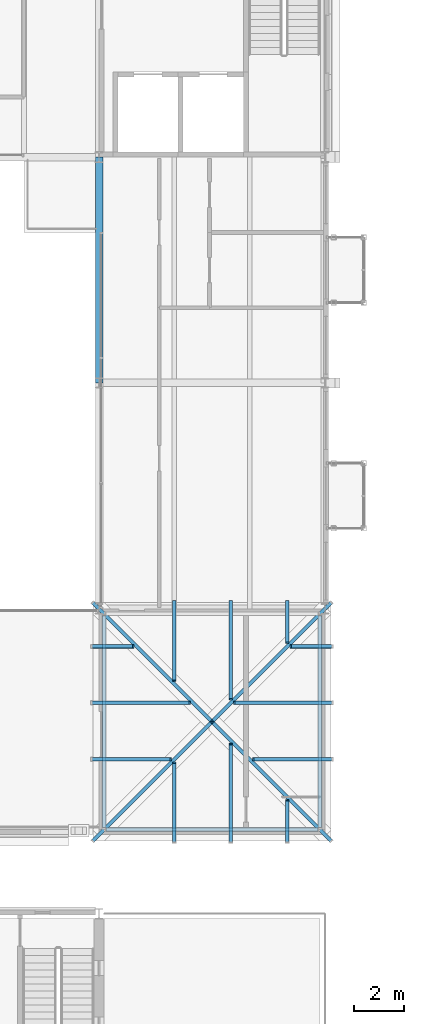
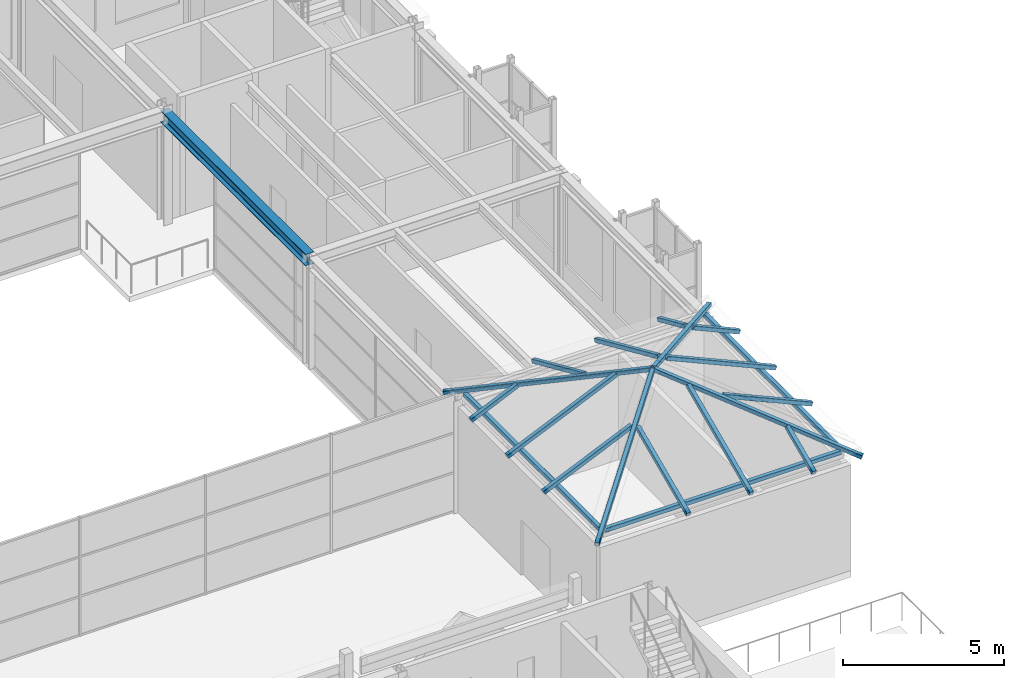
# One storey, part 24 of 149: 19 members, 1 beam.
"""IFC4 building model written with IfcOpenShell, lengths in metres."""

import ifcopenshell
import ifcopenshell.guid

model = None  # the IFC model being written
_history = None  # IfcOwnerHistory: only IFC2X3 demands one
_inside = {}  # id of a spatial element -> (the spatial element, [elements in it])
_under = {}  # id of a project, library or spatial element -> (it, [spatial elements below it])
_declared = {}  # id of a project -> (the project, [libraries it declares])
_typed = {}  # id of a type object -> (the type object, [elements of that type])
_made_of = {}  # id of a material, layer set ... -> (it, [elements and type objects made of it])


def new_model(schema):
    """Start an empty IFC model of exactly this schema.

    Asked for "IFC4X3", IfcOpenShell would pick the latest addendum, in which some entities
    have other attributes; the version numbers below select the first issue.
    IFC2X3 requires an IfcOwnerHistory on every rooted entity: one is made here for all.
    """
    global model, _history
    if schema == "IFC4X3":
        model = ifcopenshell.file(schema_version=(4, 3, 0, 0))
    else:
        model = ifcopenshell.file(schema=schema)
    _inside.clear()
    _under.clear()
    _declared.clear()
    _typed.clear()
    _made_of.clear()
    _history = None
    if model.schema == "IFC2X3":
        org = make("IfcOrganization", Name="unknown")
        user = make(
            "IfcPersonAndOrganization",
            ThePerson=make("IfcPerson", FamilyName="unknown"),
            TheOrganization=org,
        )
        app = make(
            "IfcApplication",
            ApplicationDeveloper=org,
            Version="unknown",
            ApplicationFullName="unknown",
            ApplicationIdentifier="unknown",
        )
        _history = make(
            "IfcOwnerHistory",
            OwningUser=user,
            OwningApplication=app,
            ChangeAction="ADDED",
            CreationDate=0,
        )
    return model


def make(cls, **values):
    """One entity of the class cls with the attributes given. An attribute that is None is left unset."""
    return model.create_entity(
        cls, **{name: value for name, value in values.items() if value is not None}
    )


def rooted(cls, **values):
    """An entity with a GlobalId (a new one), such as an element, a storey or a relation."""
    return make(cls, GlobalId=ifcopenshell.guid.new(), OwnerHistory=_history, **values)


def si_unit(unit_type, name, prefix=None):
    """IfcSIUnit, for example si_unit("LENGTHUNIT", "METRE", prefix="MILLI")."""
    return make("IfcSIUnit", UnitType=unit_type, Prefix=prefix, Name=name)


def assignment(units):
    """IfcUnitAssignment: the units of a project."""
    return None if units is None else make("IfcUnitAssignment", Units=units)


def point(xyz):
    """IfcCartesianPoint."""
    return None if xyz is None else make("IfcCartesianPoint", Coordinates=xyz)


def direction(xyz):
    """IfcDirection."""
    return None if xyz is None else make("IfcDirection", DirectionRatios=xyz)


def frame(location, z_axis=None, x_axis=None):
    """IfcAxis2Placement3D, a coordinate frame: its origin and axes. An axis left out is left unset."""
    return make(
        "IfcAxis2Placement3D",
        Location=point(location),
        Axis=direction(z_axis),
        RefDirection=direction(x_axis),
    )


def frame_2d(location, x_axis=None):
    """IfcAxis2Placement2D, a coordinate frame in the plane: its origin and x axis."""
    return make(
        "IfcAxis2Placement2D", Location=point(location), RefDirection=direction(x_axis)
    )


def origin():
    """The frame at (0, 0, 0) with its axes left unset."""
    return frame((0.0, 0.0, 0.0))


def origin_2d():
    """The frame at (0, 0) in the plane with its x axis left unset."""
    return frame_2d((0.0, 0.0))


def place(relative_to, where):
    """IfcLocalPlacement: puts the frame where relative to a parent placement (None: the world)."""
    return make(
        "IfcLocalPlacement", PlacementRelTo=relative_to, RelativePlacement=where
    )


def context(
    kind, dimensions, precision=None, world=None, true_north=None, identifier=None
):
    """IfcGeometricRepresentationContext, for example the 3D "Model" context."""
    return make(
        "IfcGeometricRepresentationContext",
        ContextIdentifier=identifier,
        ContextType=kind,
        CoordinateSpaceDimension=dimensions,
        Precision=precision,
        WorldCoordinateSystem=world,
        TrueNorth=true_north,
    )


def subcontext(parent, identifier, kind, view, scale=None):
    """IfcGeometricRepresentationSubContext, for example "Body" below "Model"."""
    return make(
        "IfcGeometricRepresentationSubContext",
        ContextIdentifier=identifier,
        ContextType=kind,
        ParentContext=parent,
        TargetScale=scale,
        TargetView=view,
    )


def project(units=None, contexts=None):
    """IfcProject with its units and contexts."""
    return rooted(
        "IfcProject",
        Name="project",
        RepresentationContexts=contexts,
        UnitsInContext=assignment(units),
    )


def spatial(cls, under=None, at=None, **own):
    """A site, building, storey or space (cls), placed at a placement, below another one or the project."""
    s = rooted(cls, ObjectPlacement=at, **own)
    if under is not None:
        _under.setdefault(under.id(), (under, []))[1].append(s)
    return s


def profile(cls, at=None, kind="AREA", **sizes):
    """A parametric profile (cls). Its sizes go by their IFC names, for example OverallWidth=200.0."""
    return make(cls, ProfileType=kind, Position=at, **sizes)


def hollow_rectangle(**sizes):
    """IfcRectangleHollowProfileDef."""
    return profile("IfcRectangleHollowProfileDef", **sizes)


def i_section(**sizes):
    """IfcIShapeProfileDef."""
    return profile("IfcIShapeProfileDef", **sizes)


def extrude(swept, where, along, depth):
    """IfcExtrudedAreaSolid: the profile swept, set in the frame where, extruded along a direction by depth."""
    return make(
        "IfcExtrudedAreaSolid",
        SweptArea=swept,
        Position=where,
        ExtrudedDirection=direction(along),
        Depth=depth,
    )


def shape(context_of_items, identifier, shape_type, items):
    """IfcShapeRepresentation: the items that make up one representation, for example the "Body"."""
    return make(
        "IfcShapeRepresentation",
        ContextOfItems=context_of_items,
        RepresentationIdentifier=identifier,
        RepresentationType=shape_type,
        Items=items,
    )


def material(Name=None, Category=None):
    """IfcMaterial."""
    return make("IfcMaterial", Name=Name, Category=Category)


def material_profile(
    of_material, cross_section, Name=None, Category=None, Priority=None
):
    """IfcMaterialProfile: a cross section and its material."""
    return make(
        "IfcMaterialProfile",
        Name=Name,
        Material=of_material,
        Profile=cross_section,
        Priority=Priority,
        Category=Category,
    )


def profile_set(profiles, Name=None, composite=None):
    """IfcMaterialProfileSet."""
    return make(
        "IfcMaterialProfileSet",
        Name=Name,
        MaterialProfiles=profiles,
        CompositeProfile=composite,
    )


def made_of(thing, what):
    """Note that an element or type object is made of a material, layer set ...; save() writes the relation."""
    if what is not None:
        _made_of.setdefault(what.id(), (what, []))[1].append(thing)
    return thing


def type_object(cls, material=None, **own):
    """A type object (cls), such as IfcWallType, which elements share."""
    return made_of(rooted(cls, **own), material)


def element(
    cls,
    number,
    at=None,
    inside=None,
    cuts=None,
    type_object=None,
    material=None,
    context=None,
    identifier="Body",
    shape_type=None,
    held_by="IfcProductDefinitionShape",
    body=None,
    shapes=None,
    **own,
):
    """One element of the class cls, such as IfcWall. Its Tag is "e" and its number.

    at: its placement. inside: the storey or other place that contains it. cuts: it is an
    opening in that element (IfcRelVoidsElement). A single representation is given by context,
    identifier, shape_type and body (its items); several are given by shapes. held_by: the class
    of the entity that holds the representations. save() writes the other relations.
    """
    e = rooted(cls, Tag="e%d" % number, ObjectPlacement=at, **own)
    if body is not None:
        shapes = [shape(context, identifier, shape_type, body)]
    if shapes is not None:
        e.Representation = make(held_by, Representations=shapes)
    if inside is not None:
        _inside.setdefault(inside.id(), (inside, []))[1].append(e)
    if cuts is not None:
        rooted(
            "IfcRelVoidsElement", RelatingBuildingElement=cuts, RelatedOpeningElement=e
        )
    if type_object is not None:
        _typed.setdefault(type_object.id(), (type_object, []))[1].append(e)
    return made_of(e, material)


def aggregate(whole, parts):
    """IfcRelAggregates: a whole, such as a stair, and the parts it consists of."""
    return rooted("IfcRelAggregates", RelatingObject=whole, RelatedObjects=parts)


def save(model, path):
    """Write the relations noted so far, then the file.

    IfcRelAggregates (storeys below a building ...), IfcRelContainedInSpatialStructure (elements
    in a storey), IfcRelDefinesByType, IfcRelAssociatesMaterial and IfcRelDeclares: one each for
    every whole, place, type object, material and project.
    """
    for whole, parts in _under.values():
        aggregate(whole, parts)
    for where, things in _inside.values():
        rooted(
            "IfcRelContainedInSpatialStructure",
            RelatedElements=things,
            RelatingStructure=where,
        )
    for kind, things in _typed.values():
        rooted("IfcRelDefinesByType", RelatedObjects=things, RelatingType=kind)
    for what, things in _made_of.values():
        rooted("IfcRelAssociatesMaterial", RelatedObjects=things, RelatingMaterial=what)
    for by, libraries in _declared.values():
        rooted("IfcRelDeclares", RelatingContext=by, RelatedDefinitions=libraries)
    model.write(path)


model = new_model("IFC4")

# Units and contexts
model_context = context("Model", 3, precision=1e-05, world=origin(), true_north=direction((0.0, 1.0)))
body_context = subcontext(model_context, "Body", "Model", "MODEL_VIEW")
ifc_project = project(units=[si_unit("LENGTHUNIT", "METRE"), si_unit("AREAUNIT", "SQUARE_METRE"), si_unit("VOLUMEUNIT", "CUBIC_METRE"), si_unit("PLANEANGLEUNIT", "RADIAN"), si_unit("MASSUNIT", "GRAM", prefix="KILO")], contexts=[model_context])

# Site, building, storey
site_placement = place(None, origin())
site = spatial("IfcSite", under=ifc_project, at=site_placement, CompositionType="ELEMENT")
building_placement = place(site_placement, origin())
building = spatial("IfcBuilding", under=site, at=building_placement, Name="Kallimachos Central Library", CompositionType="ELEMENT")
storey_placement = place(building_placement, frame((0.0, 0.0, 9.89990234375)))
storey = spatial("IfcBuildingStorey", under=building, at=storey_placement, Name="L02", CompositionType="ELEMENT", Elevation=9.89990234375)

# Beam
ifc_material_1 = material(Name="Steel S355J2", Category="steel")
ifc_material_profile_1 = material_profile(ifc_material_1, i_section(OverallWidth=0.300048828125, OverallDepth=0.449951171875, WebThickness=0.013916015625, FlangeThickness=0.02587890625, FilletRadius=0.027099609375, at=origin_2d()), Name="HEB 450")
ifc_profile_set_1 = profile_set([ifc_material_profile_1], Name="Steel S355J2")
beam_type = type_object("IfcBeamType", Name="HEB 450 beam", PredefinedType="BEAM", material=ifc_profile_set_1)
beam_placement = place(storey_placement, frame((101.5, 66.0, 4.025146484375), z_axis=(0.0, 1.0, 0.0), x_axis=(-1.0, 0.0, 0.0)))
element("IfcBeam", 1, at=beam_placement, inside=storey, type_object=beam_type, Name="V4-BEM-L02-034", PredefinedType="BEAM", context=body_context, shape_type="SweptSolid", body=[
    extrude(i_section(OverallWidth=0.300048828125, OverallDepth=0.449951171875, WebThickness=0.013916015625, FlangeThickness=0.02587890625, FilletRadius=0.027099609375, at=origin_2d()), origin(), (0.0, 0.0, 1.0), 9.0),
])

# Members
ifc_material_2 = material(Name="Steel S355J2H", Category="steel")
ifc_material_profile_2 = material_profile(ifc_material_2, hollow_rectangle(XDim=0.14990234375, YDim=0.14990234375, WallThickness=0.010009765625, InnerFilletRadius=0.010009765625, OuterFilletRadius=0.014892578125, at=origin_2d()), Name="SHS 150x150x10")
ifc_profile_set_2 = profile_set([ifc_material_profile_2], Name="Steel S355J2H")
member_type_1 = type_object("IfcMemberType", Name="SHS 150x150x10 eaves bearer", PredefinedType="STRINGER", material=ifc_profile_set_2)
for number, where, z_axis, x_axis, name in (
    (2, (101.77490234375, 48.199951171875, 4.47509765625), (1.0, 0.0, 0.0), (0.0, 1.0, 0.0), "Head-house roof V4-SE eaves bearer S"),
    (3, (101.699951171875, 48.27490234375, 4.47509765625), (0.0, 1.0, 0.0), (-1.0, 0.0, 0.0), "Head-house roof V4-SE eaves bearer W"),
    (4, (110.300048828125, 48.27490234375, 4.47509765625), (0.0, 1.0, 0.0), (-1.0, 0.0, 0.0), "Head-house roof V4-SE eaves bearer E"),
):
    element("IfcMember", number, at=place(storey_placement, frame(where, z_axis=z_axis, x_axis=x_axis)), inside=storey, type_object=member_type_1, Name=name, PredefinedType="STRINGER", context=body_context, shape_type="SweptSolid", body=[
        extrude(hollow_rectangle(XDim=0.14990234375, YDim=0.14990234375, WallThickness=0.010009765625, InnerFilletRadius=0.010009765625, OuterFilletRadius=0.014892578125, at=origin_2d()), origin(), (0.0, 0.0, 1.0), 8.4501953125),
    ])
ifc_material_3 = material(Name="Steel S355J2H", Category="steel")
ifc_material_profile_3 = material_profile(ifc_material_3, hollow_rectangle(XDim=0.14990234375, YDim=0.14990234375, WallThickness=0.010009765625, InnerFilletRadius=0.010009765625, OuterFilletRadius=0.014892578125, at=origin_2d()), Name="SHS 150x150x10")
ifc_profile_set_3 = profile_set([ifc_material_profile_3], Name="Steel S355J2H")
member_type_2 = type_object("IfcMemberType", Name="SHS 150x150x10 rafter", PredefinedType="RAFTER", material=ifc_profile_set_3)
member_1_placement = place(storey_placement, frame((104.5, 47.699951171875, 4.40966796875), z_axis=(0.0, 0.913572732443, 0.406675377343), x_axis=(-1.0, 0.0, 0.0)))
element("IfcMember", 5, at=member_1_placement, inside=storey, type_object=member_type_2, Name="Head-house roof V4-SE rafter", PredefinedType="RAFTER", context=body_context, shape_type="SweptSolid", body=[
    extrude(hollow_rectangle(XDim=0.14990234375, YDim=0.14990234375, WallThickness=0.010009765625, InnerFilletRadius=0.010009765625, OuterFilletRadius=0.014892578125, at=origin_2d()), origin(), (0.0, 0.0, 1.0), 3.459228515625),
])
member_2_placement = place(storey_placement, frame((106.75, 47.699951171875, 4.40966796875), z_axis=(0.0, 0.913562044368, 0.406699386635), x_axis=(-1.0, 0.0, 0.0)))
element("IfcMember", 6, at=member_2_placement, inside=storey, type_object=member_type_2, Name="Head-house roof V4-SE rafter", PredefinedType="RAFTER", context=body_context, shape_type="SweptSolid", body=[
    extrude(hollow_rectangle(XDim=0.14990234375, YDim=0.14990234375, WallThickness=0.010009765625, InnerFilletRadius=0.010009765625, OuterFilletRadius=0.014892578125, at=origin_2d()), origin(), (0.0, 0.0, 1.0), 4.280029296875),
])
member_3_placement = place(storey_placement, frame((109.0, 47.699951171875, 4.40966796875), z_axis=(0.0, 0.913573164334, 0.406674407123), x_axis=(-1.0, 0.0, 0.0)))
element("IfcMember", 7, at=member_3_placement, inside=storey, type_object=member_type_2, Name="Head-house roof V4-SE rafter", PredefinedType="RAFTER", context=body_context, shape_type="SweptSolid", body=[
    extrude(hollow_rectangle(XDim=0.14990234375, YDim=0.14990234375, WallThickness=0.010009765625, InnerFilletRadius=0.010009765625, OuterFilletRadius=0.014892578125, at=origin_2d()), origin(), (0.0, 0.0, 1.0), 1.817138671875),
])
member_4_placement = place(storey_placement, frame((104.5, 57.300048828125, 4.40966796875), z_axis=(0.0, -0.913572732443, 0.406675377343), x_axis=(1.0, 0.0, 0.0)))
element("IfcMember", 8, at=member_4_placement, inside=storey, type_object=member_type_2, Name="Head-house roof V4-SE rafter", PredefinedType="RAFTER", context=body_context, shape_type="SweptSolid", body=[
    extrude(hollow_rectangle(XDim=0.14990234375, YDim=0.14990234375, WallThickness=0.010009765625, InnerFilletRadius=0.010009765625, OuterFilletRadius=0.014892578125, at=origin_2d()), origin(), (0.0, 0.0, 1.0), 3.459228515625),
])
member_5_placement = place(storey_placement, frame((106.75, 57.300048828125, 4.40966796875), z_axis=(0.0, -0.913562044368, 0.406699386635), x_axis=(1.0, 0.0, 0.0)))
element("IfcMember", 9, at=member_5_placement, inside=storey, type_object=member_type_2, Name="Head-house roof V4-SE rafter", PredefinedType="RAFTER", context=body_context, shape_type="SweptSolid", body=[
    extrude(hollow_rectangle(XDim=0.14990234375, YDim=0.14990234375, WallThickness=0.010009765625, InnerFilletRadius=0.010009765625, OuterFilletRadius=0.014892578125, at=origin_2d()), origin(), (0.0, 0.0, 1.0), 4.280029296875),
])
member_6_placement = place(storey_placement, frame((109.0, 57.300048828125, 4.40966796875), z_axis=(0.0, -0.913573164334, 0.406674407123), x_axis=(1.0, 0.0, 0.0)))
element("IfcMember", 10, at=member_6_placement, inside=storey, type_object=member_type_2, Name="Head-house roof V4-SE rafter", PredefinedType="RAFTER", context=body_context, shape_type="SweptSolid", body=[
    extrude(hollow_rectangle(XDim=0.14990234375, YDim=0.14990234375, WallThickness=0.010009765625, InnerFilletRadius=0.010009765625, OuterFilletRadius=0.014892578125, at=origin_2d()), origin(), (0.0, 0.0, 1.0), 1.817138671875),
])
member_7_placement = place(storey_placement, frame((101.199951171875, 51.0, 4.40966796875), z_axis=(0.913572732443, 0.0, 0.406675377343), x_axis=(0.0, 1.0, 0.0)))
element("IfcMember", 11, at=member_7_placement, inside=storey, type_object=member_type_2, Name="Head-house roof V4-SE rafter", PredefinedType="RAFTER", context=body_context, shape_type="SweptSolid", body=[
    extrude(hollow_rectangle(XDim=0.14990234375, YDim=0.14990234375, WallThickness=0.010009765625, InnerFilletRadius=0.010009765625, OuterFilletRadius=0.014892578125, at=origin_2d()), origin(), (0.0, 0.0, 1.0), 3.459228515625),
])
member_8_placement = place(storey_placement, frame((101.199951171875, 53.25, 4.40966796875), z_axis=(0.913562044368, 0.0, 0.406699386635), x_axis=(0.0, 1.0, 0.0)))
element("IfcMember", 12, at=member_8_placement, inside=storey, type_object=member_type_2, Name="Head-house roof V4-SE rafter", PredefinedType="RAFTER", context=body_context, shape_type="SweptSolid", body=[
    extrude(hollow_rectangle(XDim=0.14990234375, YDim=0.14990234375, WallThickness=0.010009765625, InnerFilletRadius=0.010009765625, OuterFilletRadius=0.014892578125, at=origin_2d()), origin(), (0.0, 0.0, 1.0), 4.280029296875),
])
member_9_placement = place(storey_placement, frame((101.199951171875, 55.5, 4.40966796875), z_axis=(0.913573164334, 0.0, 0.406674407123), x_axis=(0.0, 1.0, 0.0)))
element("IfcMember", 13, at=member_9_placement, inside=storey, type_object=member_type_2, Name="Head-house roof V4-SE rafter", PredefinedType="RAFTER", context=body_context, shape_type="SweptSolid", body=[
    extrude(hollow_rectangle(XDim=0.14990234375, YDim=0.14990234375, WallThickness=0.010009765625, InnerFilletRadius=0.010009765625, OuterFilletRadius=0.014892578125, at=origin_2d()), origin(), (0.0, 0.0, 1.0), 1.817138671875),
])
member_10_placement = place(storey_placement, frame((110.800048828125, 51.0, 4.40966796875), z_axis=(-0.913572732443, 0.0, 0.406675377343), x_axis=(0.0, -1.0, 0.0)))
element("IfcMember", 14, at=member_10_placement, inside=storey, type_object=member_type_2, Name="Head-house roof V4-SE rafter", PredefinedType="RAFTER", context=body_context, shape_type="SweptSolid", body=[
    extrude(hollow_rectangle(XDim=0.14990234375, YDim=0.14990234375, WallThickness=0.010009765625, InnerFilletRadius=0.010009765625, OuterFilletRadius=0.014892578125, at=origin_2d()), origin(), (0.0, 0.0, 1.0), 3.459228515625),
])
member_11_placement = place(storey_placement, frame((110.800048828125, 53.25, 4.40966796875), z_axis=(-0.913562044368, 0.0, 0.406699386635), x_axis=(0.0, -1.0, 0.0)))
element("IfcMember", 15, at=member_11_placement, inside=storey, type_object=member_type_2, Name="Head-house roof V4-SE rafter", PredefinedType="RAFTER", context=body_context, shape_type="SweptSolid", body=[
    extrude(hollow_rectangle(XDim=0.14990234375, YDim=0.14990234375, WallThickness=0.010009765625, InnerFilletRadius=0.010009765625, OuterFilletRadius=0.014892578125, at=origin_2d()), origin(), (0.0, 0.0, 1.0), 4.280029296875),
])
member_12_placement = place(storey_placement, frame((110.800048828125, 55.5, 4.40966796875), z_axis=(-0.913573164334, 0.0, 0.406674407123), x_axis=(0.0, -1.0, 0.0)))
element("IfcMember", 16, at=member_12_placement, inside=storey, type_object=member_type_2, Name="Head-house roof V4-SE rafter", PredefinedType="RAFTER", context=body_context, shape_type="SweptSolid", body=[
    extrude(hollow_rectangle(XDim=0.14990234375, YDim=0.14990234375, WallThickness=0.010009765625, InnerFilletRadius=0.010009765625, OuterFilletRadius=0.014892578125, at=origin_2d()), origin(), (0.0, 0.0, 1.0), 1.817138671875),
])
ifc_material_4 = material(Name="Steel S355J2H", Category="steel")
ifc_material_profile_4 = material_profile(ifc_material_4, hollow_rectangle(XDim=0.14990234375, YDim=0.14990234375, WallThickness=0.010009765625, InnerFilletRadius=0.010009765625, OuterFilletRadius=0.014892578125, at=origin_2d()), Name="SHS 150x150x10")
ifc_profile_set_4 = profile_set([ifc_material_profile_4], Name="Steel S355J2H")
member_type_3 = type_object("IfcMemberType", Name="SHS 200x200x10 hip rafter", PredefinedType="RAFTER", material=ifc_profile_set_4)
for number, where, z_axis, x_axis, name in (
    (17, (101.25, 47.75, 4.381591796875), (0.674474048899, 0.674474048899, 0.300282391631), (-0.707106781187, 0.707106781187, 0.0), "Head-house roof V4-SE hip"),
    (18, (110.75, 47.75, 4.381591796875), (-0.674474048899, 0.674474048899, 0.300282391631), (-0.707106781187, -0.707106781187, 0.0), "Head-house roof V4-SE hip"),
    (19, (101.25, 57.25, 4.381591796875), (0.674474048899, -0.674474048899, 0.300282391631), (0.707106781187, 0.707106781187, 0.0), "Head-house roof V4-SE hip"),
    (20, (110.75, 57.25, 4.381591796875), (-0.674474048899, -0.674474048899, 0.300282391631), (0.707106781187, -0.707106781187, 0.0), "Head-house roof V4-SE hip"),
):
    element("IfcMember", number, at=place(storey_placement, frame(where, z_axis=z_axis, x_axis=x_axis)), inside=storey, type_object=member_type_3, Name=name, PredefinedType="RAFTER", context=body_context, shape_type="SweptSolid", body=[
        extrude(hollow_rectangle(XDim=0.14990234375, YDim=0.14990234375, WallThickness=0.010009765625, InnerFilletRadius=0.010009765625, OuterFilletRadius=0.014892578125, at=origin_2d()), origin(), (0.0, 0.0, 1.0), 7.04248046875),
    ])

save(model, "model.ifc")
